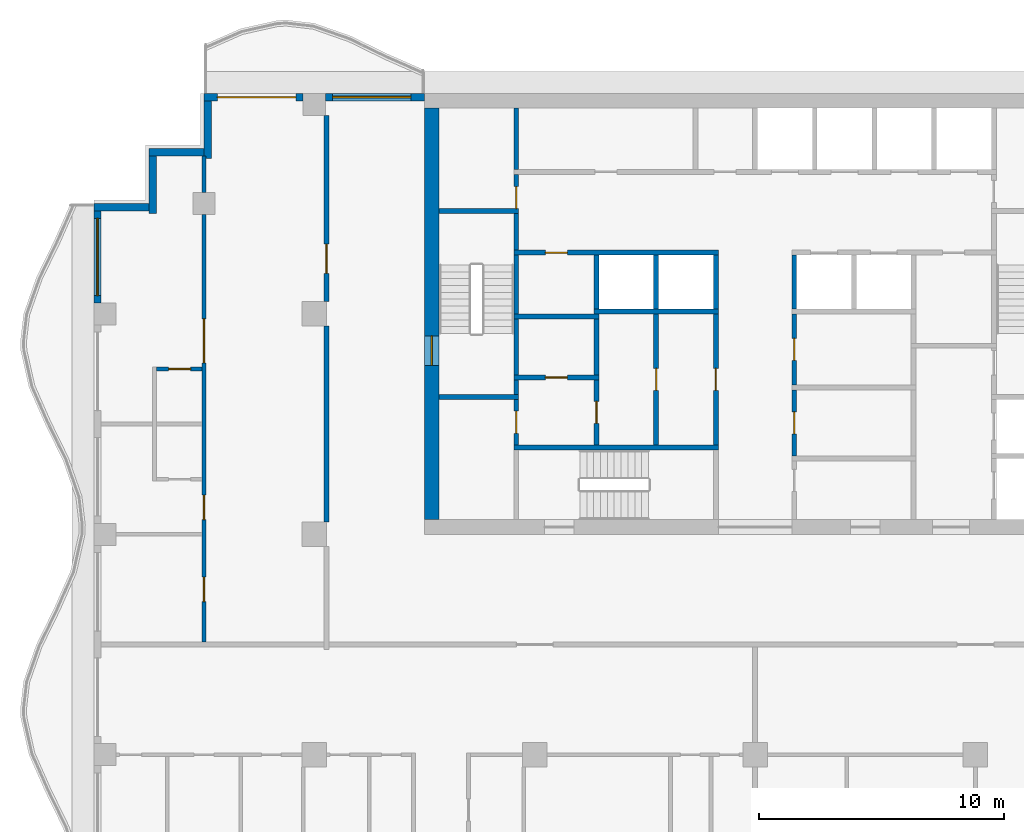
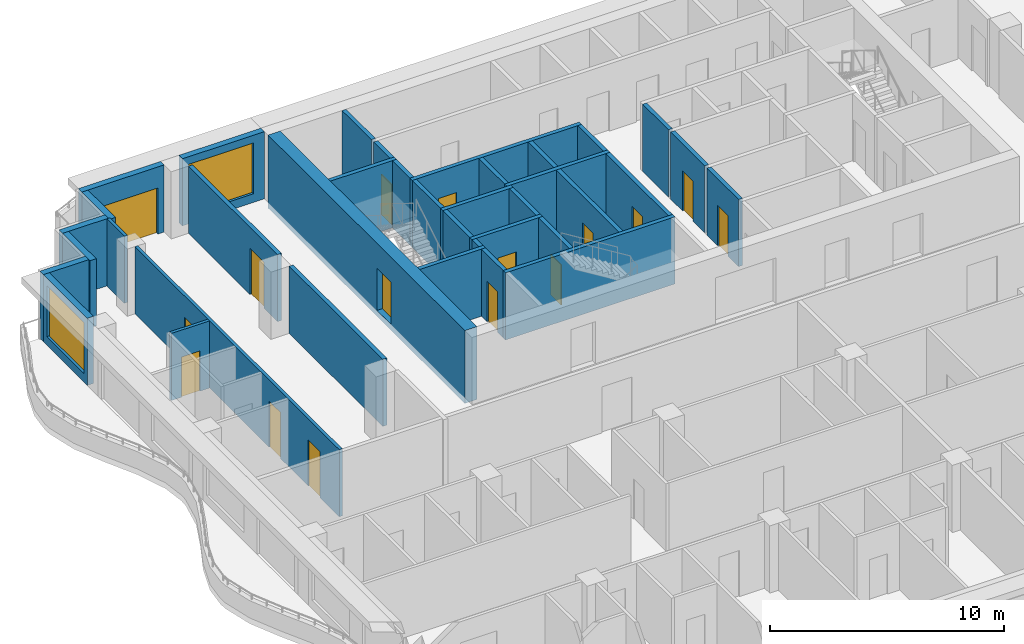
# One storey, part 5 of 11: 37 walls, 16 doors, 2 windows, 18 openings.
"""IFC4 building model written with IfcOpenShell, lengths in metres."""

from ifc_helpers import new_model, si_unit, direction, frame, frame_2d, origin, place, context, subcontext, project, spatial, rectangle, extrude, material, layer, layer_set, type_object, element, fill, save


model = new_model("IFC4")

# Units and contexts
model_context = context("Model", 3, precision=1e-05, world=origin(), true_north=direction((0.0, 1.0)))
body_context = subcontext(model_context, "Body", "Model", "MODEL_VIEW")
ifc_project = project(units=[si_unit("LENGTHUNIT", "METRE"), si_unit("AREAUNIT", "SQUARE_METRE"), si_unit("VOLUMEUNIT", "CUBIC_METRE"), si_unit("PLANEANGLEUNIT", "RADIAN"), si_unit("MASSUNIT", "GRAM", prefix="KILO")], contexts=[model_context])

# Site, building, storey
site_placement = place(None, origin())
site = spatial("IfcSite", under=ifc_project, at=site_placement, CompositionType="ELEMENT")
building_placement = place(site_placement, origin())
building = spatial("IfcBuilding", under=site, at=building_placement, Name="Orbiselva Terraces", CompositionType="ELEMENT")
storey_placement = place(building_placement, frame((0.0, 0.0, 238.8)))
storey = spatial("IfcBuildingStorey", under=building, at=storey_placement, Name="L60", CompositionType="ELEMENT", Elevation=238.8)

# Wall, opening, door
ifc_material_1 = material(Name="Concrete C80/95", Category="concrete")
ifc_layer_1 = layer(ifc_material_1, 0.6)
ifc_layer_set_1 = layer_set([ifc_layer_1], Name="Concrete C80/95")
wall_type_1 = type_object("IfcWallType", Name="CORE WALL 600", PredefinedType="SHEAR", material=ifc_layer_set_1)
wall_1_placement = place(storey_placement, frame((-13.2, 21.9, -0.3), z_axis=(0.0, 0.0, 1.0), x_axis=(0.0, -1.0, 0.0)))
wall_1 = element("IfcWall", 1, at=wall_1_placement, inside=storey, type_object=wall_type_1, Name="Core wall L60 west", PredefinedType="SHEAR", context=body_context, shape_type="SweptSolid", body=[
    extrude(rectangle(XDim=16.8, YDim=0.6, at=frame_2d((8.4, 0.0))), origin(), (0.0, 0.0, 1.0), 3.8),
])
opening_1_placement = place(wall_1_placement, frame((9.3, 0.0, 0.3)))
opening_1 = element("IfcOpeningElement", 2, at=opening_1_placement, cuts=wall_1, Name="Opening DS1200", PredefinedType="OPENING", context=body_context, shape_type="SweptSolid", body=[
    extrude(rectangle(XDim=1.2, YDim=2.2, at=frame_2d((0.6, 1.1))), frame((0.0, 0.31, 0.0), z_axis=(0.0, -1.0, 0.0), x_axis=(1.0, 0.0, 0.0)), (0.0, 0.0, 1.0), 0.62),
])
ifc_material_2 = material(Name="Steel fire door", Category="steel")
door_type_1 = type_object("IfcDoorType", Name="STAIR DOOR 1200", OperationType="NOTDEFINED", PredefinedType="DOOR", material=ifc_material_2)
door_1_placement = place(opening_1_placement, frame((1.2, 0.0, 0.0), z_axis=(0.0, 0.0, 1.0), x_axis=(-1.0, 0.0, 0.0)))
door_1 = element("IfcDoor", 3, at=door_1_placement, inside=storey, type_object=door_type_1, Name="L60 EXIT STAIR S1 door", OperationType="SINGLE_SWING_RIGHT", OverallHeight=2.2, OverallWidth=1.2, PredefinedType="DOOR", context=body_context, shape_type="SweptSolid", body=[
    extrude(rectangle(XDim=1.2, YDim=2.2, at=frame_2d((0.6, 1.1))), frame((0.0, 0.025, 0.0), z_axis=(0.0, -1.0, 0.0), x_axis=(1.0, 0.0, 0.0)), (0.0, 0.0, 1.0), 0.05),
])
fill(opening_1, door_1)

ifc_material_3 = material(Name="Masonry blockwork", Category="masonry")
ifc_layer_2 = layer(ifc_material_3, 0.2)
ifc_layer_set_2 = layer_set([ifc_layer_2], Name="Masonry blockwork")
wall_type_2 = type_object("IfcWallType", Name="CORE-WALL-PARTITION-200", PredefinedType="PARTITIONING", material=ifc_layer_set_2)
wall_2_placement = place(storey_placement, frame((-9.75, 8.15, 0.0), z_axis=(0.0, 0.0, 1.0), x_axis=(0.0, 1.0, 0.0)))
wall_2 = element("IfcWall", 4, at=wall_2_placement, inside=storey, type_object=wall_type_2, Name="L60 core wall 05", PredefinedType="PARTITIONING", context=body_context, shape_type="SweptSolid", body=[
    extrude(rectangle(XDim=1.85, YDim=0.2, at=frame_2d((0.925, 0.0))), origin(), (0.0, 0.0, 1.0), 3.5),
])
opening_2_placement = place(wall_2_placement, frame((0.475, 0.0, 0.0)))
opening_2 = element("IfcOpeningElement", 5, at=opening_2_placement, cuts=wall_2, Name="Opening DR900", PredefinedType="OPENING", context=body_context, shape_type="SweptSolid", body=[
    extrude(rectangle(XDim=0.9, YDim=2.1, at=frame_2d((0.45, 1.05))), frame((0.0, 0.11, 0.0), z_axis=(0.0, -1.0, 0.0), x_axis=(1.0, 0.0, 0.0)), (0.0, 0.0, 1.0), 0.22),
])
door_type_2 = type_object("IfcDoorType", Name="ROOM DOOR 900", OperationType="NOTDEFINED", PredefinedType="DOOR", material=ifc_material_2)
door_2_placement = place(opening_2_placement, origin())
door_2 = element("IfcDoor", 6, at=door_2_placement, inside=storey, type_object=door_type_2, Name="L60 STAFF WC door", OperationType="SINGLE_SWING_RIGHT", OverallHeight=2.1, OverallWidth=0.9, PredefinedType="DOOR", context=body_context, shape_type="SweptSolid", body=[
    extrude(rectangle(XDim=0.9, YDim=2.1, at=frame_2d((0.45, 1.05))), frame((0.0, 0.025, 0.0), z_axis=(0.0, -1.0, 0.0), x_axis=(1.0, 0.0, 0.0)), (0.0, 0.0, 1.0), 0.05),
])
fill(opening_2, door_2)

wall_3_placement = place(storey_placement, frame((-9.75, 17.8, 0.0), z_axis=(0.0, 0.0, 1.0), x_axis=(0.0, 1.0, 0.0)))
wall_3 = element("IfcWall", 7, at=wall_3_placement, inside=storey, type_object=wall_type_2, Name="L60 core wall 13", PredefinedType="PARTITIONING", context=body_context, shape_type="SweptSolid", body=[
    extrude(rectangle(XDim=1.4, YDim=0.2, at=frame_2d((0.7, 0.0))), origin(), (0.0, 0.0, 1.0), 3.5),
])
opening_3_placement = place(wall_3_placement, origin())
opening_3 = element("IfcOpeningElement", 8, at=opening_3_placement, cuts=wall_3, Name="Opening DR900", PredefinedType="OPENING", context=body_context, shape_type="SweptSolid", body=[
    extrude(rectangle(XDim=0.9, YDim=2.1, at=frame_2d((0.45, 1.05))), frame((0.0, 0.11, 0.0), z_axis=(0.0, -1.0, 0.0), x_axis=(1.0, 0.0, 0.0)), (0.0, 0.0, 1.0), 0.22),
])
door_3_placement = place(opening_3_placement, origin())
door_3 = element("IfcDoor", 9, at=door_3_placement, inside=storey, type_object=door_type_2, Name="L60 COMMS RISER ROOM door", OperationType="SINGLE_SWING_LEFT", OverallHeight=2.1, OverallWidth=0.9, PredefinedType="DOOR", context=body_context, shape_type="SweptSolid", body=[
    extrude(rectangle(XDim=0.9, YDim=2.1, at=frame_2d((0.45, 1.05))), frame((0.0, 0.025, 0.0), z_axis=(0.0, -1.0, 0.0), x_axis=(1.0, 0.0, 0.0)), (0.0, 0.0, 1.0), 0.05),
])
fill(opening_3, door_3)

# Wall
wall_4_placement = place(storey_placement, frame((-9.75, 19.4, 0.0), z_axis=(0.0, 0.0, 1.0), x_axis=(0.0, 1.0, 0.0)))
element("IfcWall", 10, at=wall_4_placement, inside=storey, type_object=wall_type_2, Name="L60 core wall 15", PredefinedType="PARTITIONING", context=body_context, shape_type="SweptSolid", body=[
    extrude(rectangle(XDim=2.5, YDim=0.2, at=frame_2d((1.25, 0.0))), origin(), (0.0, 0.0, 1.0), 3.5),
])

# Wall, opening, door
wall_5_placement = place(storey_placement, frame((-6.475, 8.15, 0.0), z_axis=(0.0, 0.0, 1.0), x_axis=(0.0, 1.0, 0.0)))
wall_5 = element("IfcWall", 11, at=wall_5_placement, inside=storey, type_object=wall_type_2, Name="L60 core wall 16", PredefinedType="PARTITIONING", context=body_context, shape_type="SweptSolid", body=[
    extrude(rectangle(XDim=2.65, YDim=0.2, at=frame_2d((1.325, 0.0))), origin(), (0.0, 0.0, 1.0), 3.5),
])
opening_4_placement = place(wall_5_placement, frame((0.875, 0.0, 0.0)))
opening_4 = element("IfcOpeningElement", 12, at=opening_4_placement, cuts=wall_5, Name="Opening DR900", PredefinedType="OPENING", context=body_context, shape_type="SweptSolid", body=[
    extrude(rectangle(XDim=0.9, YDim=2.1, at=frame_2d((0.45, 1.05))), frame((0.0, 0.11, 0.0), z_axis=(0.0, -1.0, 0.0), x_axis=(1.0, 0.0, 0.0)), (0.0, 0.0, 1.0), 0.22),
])
door_4_placement = place(opening_4_placement, origin())
door_4 = element("IfcDoor", 13, at=door_4_placement, inside=storey, type_object=door_type_2, Name="L60 UNIFORM STORE door", OperationType="SINGLE_SWING_LEFT", OverallHeight=2.1, OverallWidth=0.9, PredefinedType="DOOR", context=body_context, shape_type="SweptSolid", body=[
    extrude(rectangle(XDim=0.9, YDim=2.1, at=frame_2d((0.45, 1.05))), frame((0.0, 0.025, 0.0), z_axis=(0.0, -1.0, 0.0), x_axis=(1.0, 0.0, 0.0)), (0.0, 0.0, 1.0), 0.05),
])
fill(opening_4, door_4)

# Wall
wall_6_placement = place(storey_placement, frame((-6.475, 11.0, 0.0), z_axis=(0.0, 0.0, 1.0), x_axis=(0.0, 1.0, 0.0)))
element("IfcWall", 14, at=wall_6_placement, inside=storey, type_object=wall_type_2, Name="L60 core wall 17", PredefinedType="PARTITIONING", context=body_context, shape_type="SweptSolid", body=[
    extrude(rectangle(XDim=2.3, YDim=0.2, at=frame_2d((1.15, 0.0))), origin(), (0.0, 0.0, 1.0), 3.5),
])

# Wall, opening, door
wall_7_placement = place(storey_placement, frame((-4.0375, 8.15, 0.0), z_axis=(0.0, 0.0, 1.0), x_axis=(0.0, 1.0, 0.0)))
wall_7 = element("IfcWall", 15, at=wall_7_placement, inside=storey, type_object=wall_type_2, Name="L60 core wall 20", PredefinedType="PARTITIONING", context=body_context, shape_type="SweptSolid", body=[
    extrude(rectangle(XDim=5.35, YDim=0.2, at=frame_2d((2.675, 0.0))), origin(), (0.0, 0.0, 1.0), 3.5),
])
opening_5_placement = place(wall_7_placement, frame((2.225, 0.0, 0.0)))
opening_5 = element("IfcOpeningElement", 16, at=opening_5_placement, cuts=wall_7, Name="Opening DR900", PredefinedType="OPENING", context=body_context, shape_type="SweptSolid", body=[
    extrude(rectangle(XDim=0.9, YDim=2.1, at=frame_2d((0.45, 1.05))), frame((0.0, 0.11, 0.0), z_axis=(0.0, -1.0, 0.0), x_axis=(1.0, 0.0, 0.0)), (0.0, 0.0, 1.0), 0.22),
])
door_5_placement = place(opening_5_placement, origin())
door_5 = element("IfcDoor", 17, at=door_5_placement, inside=storey, type_object=door_type_2, Name="L60 BUILDING STORE door", OperationType="SINGLE_SWING_RIGHT", OverallHeight=2.1, OverallWidth=0.9, PredefinedType="DOOR", context=body_context, shape_type="SweptSolid", body=[
    extrude(rectangle(XDim=0.9, YDim=2.1, at=frame_2d((0.45, 1.05))), frame((0.0, 0.025, 0.0), z_axis=(0.0, -1.0, 0.0), x_axis=(1.0, 0.0, 0.0)), (0.0, 0.0, 1.0), 0.05),
])
fill(opening_5, door_5)

wall_8_placement = place(storey_placement, frame((1.6, 10.4, 0.0), z_axis=(0.0, 0.0, 1.0), x_axis=(0.0, -1.0, 0.0)))
wall_8 = element("IfcWall", 18, at=wall_8_placement, inside=storey, type_object=wall_type_2, Name="L60 core wall 29", PredefinedType="PARTITIONING", context=body_context, shape_type="SweptSolid", body=[
    extrude(rectangle(XDim=2.7, YDim=0.2, at=frame_2d((1.35, 0.0))), origin(), (0.0, 0.0, 1.0), 3.5),
])
opening_6_placement = place(wall_8_placement, frame((0.9, 0.0, 0.0)))
opening_6 = element("IfcOpeningElement", 19, at=opening_6_placement, cuts=wall_8, Name="Opening DR900", PredefinedType="OPENING", context=body_context, shape_type="SweptSolid", body=[
    extrude(rectangle(XDim=0.9, YDim=2.1, at=frame_2d((0.45, 1.05))), frame((0.0, 0.11, 0.0), z_axis=(0.0, -1.0, 0.0), x_axis=(1.0, 0.0, 0.0)), (0.0, 0.0, 1.0), 0.22),
])
door_6_placement = place(opening_6_placement, origin())
door_6 = element("IfcDoor", 20, at=door_6_placement, inside=storey, type_object=door_type_2, Name="L60 SERVICE PANTRY door", OperationType="SINGLE_SWING_LEFT", OverallHeight=2.1, OverallWidth=0.9, PredefinedType="DOOR", context=body_context, shape_type="SweptSolid", body=[
    extrude(rectangle(XDim=0.9, YDim=2.1, at=frame_2d((0.45, 1.05))), frame((0.0, 0.025, 0.0), z_axis=(0.0, -1.0, 0.0), x_axis=(1.0, 0.0, 0.0)), (0.0, 0.0, 1.0), 0.05),
])
fill(opening_6, door_6)

wall_9_placement = place(storey_placement, frame((1.6, 13.5, 0.0), z_axis=(0.0, 0.0, 1.0), x_axis=(0.0, -1.0, 0.0)))
wall_9 = element("IfcWall", 21, at=wall_9_placement, inside=storey, type_object=wall_type_2, Name="L60 core wall 31", PredefinedType="PARTITIONING", context=body_context, shape_type="SweptSolid", body=[
    extrude(rectangle(XDim=2.9, YDim=0.2, at=frame_2d((1.45, 0.0))), origin(), (0.0, 0.0, 1.0), 3.5),
])
opening_7_placement = place(wall_9_placement, frame((1.0, 0.0, 0.0)))
opening_7 = element("IfcOpeningElement", 22, at=opening_7_placement, cuts=wall_9, Name="Opening DR900", PredefinedType="OPENING", context=body_context, shape_type="SweptSolid", body=[
    extrude(rectangle(XDim=0.9, YDim=2.1, at=frame_2d((0.45, 1.05))), frame((0.0, 0.11, 0.0), z_axis=(0.0, -1.0, 0.0), x_axis=(1.0, 0.0, 0.0)), (0.0, 0.0, 1.0), 0.22),
])
door_7_placement = place(opening_7_placement, origin())
door_7 = element("IfcDoor", 23, at=door_7_placement, inside=storey, type_object=door_type_2, Name="L60 STAFF WC door", OperationType="SINGLE_SWING_LEFT", OverallHeight=2.1, OverallWidth=0.9, PredefinedType="DOOR", context=body_context, shape_type="SweptSolid", body=[
    extrude(rectangle(XDim=0.9, YDim=2.1, at=frame_2d((0.45, 1.05))), frame((0.0, 0.025, 0.0), z_axis=(0.0, -1.0, 0.0), x_axis=(1.0, 0.0, 0.0)), (0.0, 0.0, 1.0), 0.05),
])
fill(opening_7, door_7)

# Walls
ifc_material_4 = material(Name="Concrete C40/50", Category="concrete")
ifc_layer_3 = layer(ifc_material_4, 0.2)
ifc_layer_set_3 = layer_set([ifc_layer_3], Name="Concrete C40/50")
wall_type_3 = type_object("IfcWallType", Name="CORE-WALL-SHAFT-200", PredefinedType="PARTITIONING", material=ifc_layer_set_3)
for number, where, z_axis, x_axis, name in (
    (24, (-6.475, 13.7, 0.0), (0.0, 0.0, 1.0), (0.0, 1.0, 0.0), "L60 core wall 19"),
    (25, (-4.0375, 13.7, 0.0), (0.0, 0.0, 1.0), (0.0, 1.0, 0.0), "L60 core wall 21"),
    (26, (-1.6, 13.7, 0.0), (0.0, 0.0, 1.0), (0.0, 1.0, 0.0), "L60 core wall 25"),
    (27, (1.6, 13.7, 0.0), (0.0, 0.0, 1.0), (0.0, 1.0, 0.0), "L60 core wall 33"),
):
    element("IfcWall", number, at=place(storey_placement, frame(where, z_axis=z_axis, x_axis=x_axis)), inside=storey, type_object=wall_type_3, Name=name, PredefinedType="PARTITIONING", context=body_context, shape_type="SweptSolid", body=[
        extrude(rectangle(XDim=2.2, YDim=0.2, at=frame_2d((1.1, 0.0))), origin(), (0.0, 0.0, 1.0), 3.5),
    ])
ifc_material_5 = material(Name="Concrete C60/75", Category="concrete")
ifc_layer_4 = layer(ifc_material_5, 0.2)
ifc_layer_set_4 = layer_set([ifc_layer_4], Name="Concrete C60/75")
wall_type_4 = type_object("IfcWallType", Name="CORE-WALL-SHEAR-200", PredefinedType="SHEAR", material=ifc_layer_set_4)
for number, where, z_axis, x_axis, name in (
    (28, (-12.9, 10.1, 0.0), (0.0, 0.0, 1.0), (1.0, 0.0, 0.0), "L60 core wall 01"),
    (29, (-12.9, 17.7, 0.0), (0.0, 0.0, 1.0), (1.0, 0.0, 0.0), "L60 core wall 02"),
):
    element("IfcWall", number, at=place(storey_placement, frame(where, z_axis=z_axis, x_axis=x_axis)), inside=storey, type_object=wall_type_4, Name=name, PredefinedType="SHEAR", context=body_context, shape_type="SweptSolid", body=[
        extrude(rectangle(XDim=3.25, YDim=0.2, at=frame_2d((1.625, 0.0))), origin(), (0.0, 0.0, 1.0), 3.5),
    ])
wall_10_placement = place(storey_placement, frame((-9.85, 8.05, 0.0), z_axis=(0.0, 0.0, 1.0), x_axis=(1.0, 0.0, 0.0)))
element("IfcWall", 30, at=wall_10_placement, inside=storey, type_object=wall_type_4, Name="L60 core wall 04", PredefinedType="SHEAR", context=body_context, shape_type="SweptSolid", body=[
    extrude(rectangle(XDim=8.35, YDim=0.2, at=frame_2d((4.175, 0.0))), origin(), (0.0, 0.0, 1.0), 3.5),
])
wall_11_placement = place(storey_placement, frame((-9.75, 10.2, 0.0), z_axis=(0.0, 0.0, 1.0), x_axis=(0.0, 1.0, 0.0)))
element("IfcWall", 31, at=wall_11_placement, inside=storey, type_object=wall_type_4, Name="L60 core wall 06", PredefinedType="SHEAR", context=body_context, shape_type="SweptSolid", body=[
    extrude(rectangle(XDim=0.6, YDim=0.2, at=frame_2d((0.3, 0.0))), origin(), (0.0, 0.0, 1.0), 3.5),
])

# Wall, opening, door
wall_12_placement = place(storey_placement, frame((-9.85, 10.9, 0.0), z_axis=(0.0, 0.0, 1.0), x_axis=(1.0, 0.0, 0.0)))
wall_12 = element("IfcWall", 32, at=wall_12_placement, inside=storey, type_object=wall_type_4, Name="L60 core wall 07", PredefinedType="SHEAR", context=body_context, shape_type="SweptSolid", body=[
    extrude(rectangle(XDim=3.475, YDim=0.2, at=frame_2d((1.7375, 0.0))), origin(), (0.0, 0.0, 1.0), 3.5),
])
opening_8_placement = place(wall_12_placement, frame((1.2875, 0.0, 0.0)))
opening_8 = element("IfcOpeningElement", 33, at=opening_8_placement, cuts=wall_12, Name="Opening DR900", PredefinedType="OPENING", context=body_context, shape_type="SweptSolid", body=[
    extrude(rectangle(XDim=0.9, YDim=2.1, at=frame_2d((0.45, 1.05))), frame((0.0, 0.11, 0.0), z_axis=(0.0, -1.0, 0.0), x_axis=(1.0, 0.0, 0.0)), (0.0, 0.0, 1.0), 0.22),
])
door_8_placement = place(opening_8_placement, origin())
door_8 = element("IfcDoor", 34, at=door_8_placement, inside=storey, type_object=door_type_2, Name="L60 LAUNDRY ROOM door", OperationType="SINGLE_SWING_RIGHT", OverallHeight=2.1, OverallWidth=0.9, PredefinedType="DOOR", context=body_context, shape_type="SweptSolid", body=[
    extrude(rectangle(XDim=0.9, YDim=2.1, at=frame_2d((0.45, 1.05))), frame((0.0, 0.025, 0.0), z_axis=(0.0, -1.0, 0.0), x_axis=(1.0, 0.0, 0.0)), (0.0, 0.0, 1.0), 0.05),
])
fill(opening_8, door_8)

# Walls
wall_13_placement = place(storey_placement, frame((-9.75, 11.0, 0.0), z_axis=(0.0, 0.0, 1.0), x_axis=(0.0, 1.0, 0.0)))
element("IfcWall", 35, at=wall_13_placement, inside=storey, type_object=wall_type_4, Name="L60 core wall 08", PredefinedType="SHEAR", context=body_context, shape_type="SweptSolid", body=[
    extrude(rectangle(XDim=2.3, YDim=0.2, at=frame_2d((1.15, 0.0))), origin(), (0.0, 0.0, 1.0), 3.5),
])
wall_14_placement = place(storey_placement, frame((-9.85, 13.4, 0.0), z_axis=(0.0, 0.0, 1.0), x_axis=(1.0, 0.0, 0.0)))
element("IfcWall", 36, at=wall_14_placement, inside=storey, type_object=wall_type_4, Name="L60 core wall 09", PredefinedType="SHEAR", context=body_context, shape_type="SweptSolid", body=[
    extrude(rectangle(XDim=3.475, YDim=0.2, at=frame_2d((1.7375, 0.0))), origin(), (0.0, 0.0, 1.0), 3.5),
])
wall_15_placement = place(storey_placement, frame((-9.75, 13.5, 0.0), z_axis=(0.0, 0.0, 1.0), x_axis=(0.0, 1.0, 0.0)))
element("IfcWall", 37, at=wall_15_placement, inside=storey, type_object=wall_type_4, Name="L60 core wall 10", PredefinedType="SHEAR", context=body_context, shape_type="SweptSolid", body=[
    extrude(rectangle(XDim=2.4, YDim=0.2, at=frame_2d((1.2, 0.0))), origin(), (0.0, 0.0, 1.0), 3.5),
])

# Wall, opening, door
wall_16_placement = place(storey_placement, frame((-1.5, 16.0, 0.0), z_axis=(0.0, 0.0, 1.0), x_axis=(-1.0, 0.0, 0.0)))
wall_16 = element("IfcWall", 38, at=wall_16_placement, inside=storey, type_object=wall_type_4, Name="L60 core wall 11", PredefinedType="SHEAR", context=body_context, shape_type="SweptSolid", body=[
    extrude(rectangle(XDim=8.35, YDim=0.2, at=frame_2d((4.175, 0.0))), origin(), (0.0, 0.0, 1.0), 3.5),
])
opening_9_placement = place(wall_16_placement, frame((6.1625, 0.0, 0.0)))
opening_9 = element("IfcOpeningElement", 39, at=opening_9_placement, cuts=wall_16, Name="Opening DR900", PredefinedType="OPENING", context=body_context, shape_type="SweptSolid", body=[
    extrude(rectangle(XDim=0.9, YDim=2.1, at=frame_2d((0.45, 1.05))), frame((0.0, 0.11, 0.0), z_axis=(0.0, -1.0, 0.0), x_axis=(1.0, 0.0, 0.0)), (0.0, 0.0, 1.0), 0.22),
])
door_9_placement = place(opening_9_placement, origin())
door_9 = element("IfcDoor", 40, at=door_9_placement, inside=storey, type_object=door_type_2, Name="L60 STAFF PANTRY door", OperationType="SINGLE_SWING_RIGHT", OverallHeight=2.1, OverallWidth=0.9, PredefinedType="DOOR", context=body_context, shape_type="SweptSolid", body=[
    extrude(rectangle(XDim=0.9, YDim=2.1, at=frame_2d((0.45, 1.05))), frame((0.0, 0.025, 0.0), z_axis=(0.0, -1.0, 0.0), x_axis=(1.0, 0.0, 0.0)), (0.0, 0.0, 1.0), 0.05),
])
fill(opening_9, door_9)

# Walls
wall_17_placement = place(storey_placement, frame((-9.75, 16.1, 0.0), z_axis=(0.0, 0.0, 1.0), x_axis=(0.0, 1.0, 0.0)))
element("IfcWall", 41, at=wall_17_placement, inside=storey, type_object=wall_type_4, Name="L60 core wall 12", PredefinedType="SHEAR", context=body_context, shape_type="SweptSolid", body=[
    extrude(rectangle(XDim=1.5, YDim=0.2, at=frame_2d((0.75, 0.0))), origin(), (0.0, 0.0, 1.0), 3.5),
])
wall_18_placement = place(storey_placement, frame((-6.575, 13.6, 0.0), z_axis=(0.0, 0.0, 1.0), x_axis=(1.0, 0.0, 0.0)))
element("IfcWall", 42, at=wall_18_placement, inside=storey, type_object=wall_type_4, Name="L60 core wall 18", PredefinedType="SHEAR", context=body_context, shape_type="SweptSolid", body=[
    extrude(rectangle(XDim=5.075, YDim=0.2, at=frame_2d((2.5375, 0.0))), origin(), (0.0, 0.0, 1.0), 3.5),
])

# Wall, opening, door
wall_19_placement = place(storey_placement, frame((-1.6, 8.15, 0.0), z_axis=(0.0, 0.0, 1.0), x_axis=(0.0, 1.0, 0.0)))
wall_19 = element("IfcWall", 43, at=wall_19_placement, inside=storey, type_object=wall_type_4, Name="L60 core wall 24", PredefinedType="SHEAR", context=body_context, shape_type="SweptSolid", body=[
    extrude(rectangle(XDim=5.35, YDim=0.2, at=frame_2d((2.675, 0.0))), origin(), (0.0, 0.0, 1.0), 3.5),
])
opening_10_placement = place(wall_19_placement, frame((2.225, 0.0, 0.0)))
opening_10 = element("IfcOpeningElement", 44, at=opening_10_placement, cuts=wall_19, Name="Opening DR900", PredefinedType="OPENING", context=body_context, shape_type="SweptSolid", body=[
    extrude(rectangle(XDim=0.9, YDim=2.1, at=frame_2d((0.45, 1.05))), frame((0.0, 0.11, 0.0), z_axis=(0.0, -1.0, 0.0), x_axis=(1.0, 0.0, 0.0)), (0.0, 0.0, 1.0), 0.22),
])
door_10_placement = place(opening_10_placement, origin())
door_10 = element("IfcDoor", 45, at=door_10_placement, inside=storey, type_object=door_type_2, Name="L60 GUEST PANTRY door", OperationType="SINGLE_SWING_RIGHT", OverallHeight=2.1, OverallWidth=0.9, PredefinedType="DOOR", context=body_context, shape_type="SweptSolid", body=[
    extrude(rectangle(XDim=0.9, YDim=2.1, at=frame_2d((0.45, 1.05))), frame((0.0, 0.025, 0.0), z_axis=(0.0, -1.0, 0.0), x_axis=(1.0, 0.0, 0.0)), (0.0, 0.0, 1.0), 0.05),
])
fill(opening_10, door_10)

# Wall, opening, window
ifc_material_6 = material(Name="Terracotta cladding on masonry backing", Category="masonry")
ifc_layer_5 = layer(ifc_material_6, 0.3)
ifc_layer_set_5 = layer_set([ifc_layer_5], Name="Terracotta cladding on masonry backing")
wall_type_5 = type_object("IfcWallType", Name="ENV-WALL-TERRACOTTA-300", PredefinedType="SOLIDWALL", material=ifc_layer_set_5)
wall_20_placement = place(storey_placement, frame((-17.55, 22.35, 0.0), z_axis=(0.0, 0.0, 1.0), x_axis=(1.0, 0.0, 0.0)))
wall_20 = element("IfcWall", 46, at=wall_20_placement, inside=storey, type_object=wall_type_5, Name="Facade wall L60 NW", PredefinedType="SOLIDWALL", context=body_context, shape_type="SweptSolid", body=[
    extrude(rectangle(XDim=4.05, YDim=0.3, at=frame_2d((2.025, 0.0))), origin(), (0.0, 0.0, 1.0), 3.5),
])
opening_11_placement = place(wall_20_placement, frame((0.3, 0.0, 0.45)))
opening_11 = element("IfcOpeningElement", 47, at=opening_11_placement, cuts=wall_20, Name="Opening WN17", PredefinedType="OPENING", context=body_context, shape_type="SweptSolid", body=[
    extrude(rectangle(XDim=3.2, YDim=2.65, at=frame_2d((1.6, 1.325))), frame((0.0, 0.16, 0.0), z_axis=(0.0, -1.0, 0.0), x_axis=(1.0, 0.0, 0.0)), (0.0, 0.0, 1.0), 0.32),
])
ifc_material_7 = material(Name="Clear low-e glazing in aluminium frame", Category="aluminium")
window_type_1 = type_object("IfcWindowType", Name="WINDOW 3200 X 2650 S450", PartitioningType="TRIPLE_PANEL_VERTICAL", PredefinedType="WINDOW", material=ifc_material_7)
window_1_placement = place(opening_11_placement, origin())
window_1 = element("IfcWindow", 48, at=window_1_placement, inside=storey, type_object=window_type_1, Name="Window L60 NW", OverallHeight=2.65, OverallWidth=3.2, PartitioningType="SINGLE_PANEL", PredefinedType="WINDOW", context=body_context, shape_type="SweptSolid", body=[
    extrude(rectangle(XDim=3.2, YDim=2.65, at=frame_2d((1.6, 1.325))), frame((0.0, 0.03, 0.0), z_axis=(0.0, -1.0, 0.0), x_axis=(1.0, 0.0, 0.0)), (0.0, 0.0, 1.0), 0.06),
])
fill(opening_11, window_1)

# Wall, opening, door
wall_21_placement = place(storey_placement, frame((-22.5, 22.35, 0.0), z_axis=(0.0, 0.0, 1.0), x_axis=(1.0, 0.0, 0.0)))
wall_21 = element("IfcWall", 49, at=wall_21_placement, inside=storey, type_object=wall_type_5, Name="Facade wall L60 NW", PredefinedType="SOLIDWALL", context=body_context, shape_type="SweptSolid", body=[
    extrude(rectangle(XDim=4.05, YDim=0.3, at=frame_2d((2.025, 0.0))), origin(), (0.0, 0.0, 1.0), 3.5),
])
opening_12_placement = place(wall_21_placement, frame((0.55, 0.0, 0.0)))
opening_12 = element("IfcOpeningElement", 50, at=opening_12_placement, cuts=wall_21, Name="Opening Z5-A-E09", PredefinedType="OPENING", context=body_context, shape_type="SweptSolid", body=[
    extrude(rectangle(XDim=3.2, YDim=2.4, at=frame_2d((1.6, 1.2))), frame((0.0, 0.16, 0.0), z_axis=(0.0, -1.0, 0.0), x_axis=(1.0, 0.0, 0.0)), (0.0, 0.0, 1.0), 0.32),
])
door_type_3 = type_object("IfcDoorType", Name="BALCONY DOOR 3200 X 2400", OperationType="DOUBLE_DOOR_SLIDING", PredefinedType="DOOR", material=ifc_material_7)
door_11_placement = place(opening_12_placement, origin())
door_11 = element("IfcDoor", 51, at=door_11_placement, inside=storey, type_object=door_type_3, Name="Z5-A-E09", OperationType="SINGLE_SWING_LEFT", OverallHeight=2.4, OverallWidth=3.2, PredefinedType="DOOR", context=body_context, shape_type="SweptSolid", body=[
    extrude(rectangle(XDim=3.2, YDim=2.4, at=frame_2d((1.6, 1.2))), frame((0.0, 0.025, 0.0), z_axis=(0.0, -1.0, 0.0), x_axis=(1.0, 0.0, 0.0)), (0.0, 0.0, 1.0), 0.05),
])
fill(opening_12, door_11)

# Walls
wall_22_placement = place(storey_placement, frame((-22.35, 19.85, 0.0), z_axis=(0.0, 0.0, 1.0), x_axis=(0.0, 1.0, 0.0)))
element("IfcWall", 52, at=wall_22_placement, inside=storey, type_object=wall_type_5, Name="Facade wall L60 STEP", PredefinedType="SOLIDWALL", context=body_context, shape_type="SweptSolid", body=[
    extrude(rectangle(XDim=2.35, YDim=0.3, at=frame_2d((1.175, 0.0))), origin(), (0.0, 0.0, 1.0), 3.5),
])
wall_23_placement = place(storey_placement, frame((-24.75, 20.1, 0.0), z_axis=(0.0, 0.0, 1.0), x_axis=(1.0, 0.0, 0.0)))
element("IfcWall", 53, at=wall_23_placement, inside=storey, type_object=wall_type_5, Name="Facade wall L60 STEP", PredefinedType="SOLIDWALL", context=body_context, shape_type="SweptSolid", body=[
    extrude(rectangle(XDim=2.25, YDim=0.3, at=frame_2d((1.125, 0.0))), origin(), (0.0, 0.0, 1.0), 3.5),
])
wall_24_placement = place(storey_placement, frame((-24.6, 17.6, 0.0), z_axis=(0.0, 0.0, 1.0), x_axis=(0.0, 1.0, 0.0)))
element("IfcWall", 54, at=wall_24_placement, inside=storey, type_object=wall_type_5, Name="Facade wall L60 STEP", PredefinedType="SOLIDWALL", context=body_context, shape_type="SweptSolid", body=[
    extrude(rectangle(XDim=2.35, YDim=0.3, at=frame_2d((1.175, 0.0))), origin(), (0.0, 0.0, 1.0), 3.5),
])
wall_25_placement = place(storey_placement, frame((-27.0, 17.85, 0.0), z_axis=(0.0, 0.0, 1.0), x_axis=(1.0, 0.0, 0.0)))
element("IfcWall", 55, at=wall_25_placement, inside=storey, type_object=wall_type_5, Name="Facade wall L60 STEP", PredefinedType="SOLIDWALL", context=body_context, shape_type="SweptSolid", body=[
    extrude(rectangle(XDim=2.25, YDim=0.3, at=frame_2d((1.125, 0.0))), origin(), (0.0, 0.0, 1.0), 3.5),
])

# Wall, opening, window
wall_26_placement = place(storey_placement, frame((-26.85, 13.95, 0.0), z_axis=(0.0, 0.0, 1.0), x_axis=(0.0, 1.0, 0.0)))
wall_26 = element("IfcWall", 56, at=wall_26_placement, inside=storey, type_object=wall_type_5, Name="Facade wall L60 W", PredefinedType="SOLIDWALL", context=body_context, shape_type="SweptSolid", body=[
    extrude(rectangle(XDim=3.75, YDim=0.3, at=frame_2d((1.875, 0.0))), origin(), (0.0, 0.0, 1.0), 3.5),
])
opening_13_placement = place(wall_26_placement, frame((0.3, 0.0, 0.45)))
opening_13 = element("IfcOpeningElement", 57, at=opening_13_placement, cuts=wall_26, Name="Opening WN16", PredefinedType="OPENING", context=body_context, shape_type="SweptSolid", body=[
    extrude(rectangle(XDim=3.15, YDim=2.65, at=frame_2d((1.575, 1.325))), frame((0.0, 0.16, 0.0), z_axis=(0.0, -1.0, 0.0), x_axis=(1.0, 0.0, 0.0)), (0.0, 0.0, 1.0), 0.32),
])
window_type_2 = type_object("IfcWindowType", Name="WINDOW 3150 X 2650 S450", PartitioningType="TRIPLE_PANEL_VERTICAL", PredefinedType="WINDOW", material=ifc_material_7)
window_2_placement = place(opening_13_placement, origin())
window_2 = element("IfcWindow", 58, at=window_2_placement, inside=storey, type_object=window_type_2, Name="Window L60 W", OverallHeight=2.65, OverallWidth=3.15, PartitioningType="SINGLE_PANEL", PredefinedType="WINDOW", context=body_context, shape_type="SweptSolid", body=[
    extrude(rectangle(XDim=3.15, YDim=2.65, at=frame_2d((1.575, 1.325))), frame((0.0, 0.03, 0.0), z_axis=(0.0, -1.0, 0.0), x_axis=(1.0, 0.0, 0.0)), (0.0, 0.0, 1.0), 0.06),
])
fill(opening_13, window_2)

# Wall
ifc_material_8 = material(Name="Plasterboard on steel stud partition", Category="steel")
ifc_layer_6 = layer(ifc_material_8, 0.2)
ifc_layer_set_6 = layer_set([ifc_layer_6], Name="Plasterboard on steel stud partition")
wall_type_6 = type_object("IfcWallType", Name="UNIT-ENTRANCE-WALL-200", PredefinedType="PARTITIONING", material=ifc_layer_set_6)
wall_27_placement = place(storey_placement, frame((-17.5, 5.0, 0.0), z_axis=(0.0, 0.0, 1.0), x_axis=(0.0, 1.0, 0.0)))
element("IfcWall", 59, at=wall_27_placement, inside=storey, type_object=wall_type_6, Name="PARTITION L60-051", PredefinedType="PARTITIONING", context=body_context, shape_type="SweptSolid", body=[
    extrude(rectangle(XDim=8.0, YDim=0.2, at=frame_2d((4.0, 0.0))), origin(), (0.0, 0.0, 1.0), 3.5),
])

# Wall, opening, door
wall_28_placement = place(storey_placement, frame((-17.5, 14.0, 0.0), z_axis=(0.0, 0.0, 1.0), x_axis=(0.0, 1.0, 0.0)))
wall_28 = element("IfcWall", 60, at=wall_28_placement, inside=storey, type_object=wall_type_6, Name="PARTITION L60-052", PredefinedType="PARTITIONING", context=body_context, shape_type="SweptSolid", body=[
    extrude(rectangle(XDim=7.6, YDim=0.2, at=frame_2d((3.8, 0.0))), origin(), (0.0, 0.0, 1.0), 3.5),
])
opening_14_placement = place(wall_28_placement, frame((1.15, 0.0, 0.0)))
opening_14 = element("IfcOpeningElement", 61, at=opening_14_placement, cuts=wall_28, Name="Opening Z5-A-02", PredefinedType="OPENING", context=body_context, shape_type="SweptSolid", body=[
    extrude(rectangle(XDim=1.2, YDim=2.4, at=frame_2d((0.6, 1.2))), frame((0.0, 0.11, 0.0), z_axis=(0.0, -1.0, 0.0), x_axis=(1.0, 0.0, 0.0)), (0.0, 0.0, 1.0), 0.22),
])
ifc_material_9 = material(Name="Painted timber door leaf", Category="wood")
door_type_4 = type_object("IfcDoorType", Name="ENTRANCE DOOR 1200", OperationType="NOTDEFINED", PredefinedType="DOOR", material=ifc_material_9)
door_12_placement = place(opening_14_placement, origin())
door_12 = element("IfcDoor", 62, at=door_12_placement, inside=storey, type_object=door_type_4, Name="Z5-A-02", OperationType="SINGLE_SWING_LEFT", OverallHeight=2.4, OverallWidth=1.2, PredefinedType="DOOR", context=body_context, shape_type="SweptSolid", body=[
    extrude(rectangle(XDim=1.2, YDim=2.4, at=frame_2d((0.6, 1.2))), frame((0.0, 0.025, 0.0), z_axis=(0.0, -1.0, 0.0), x_axis=(1.0, 0.0, 0.0)), (0.0, 0.0, 1.0), 0.05),
])
fill(opening_14, door_12)

ifc_layer_7 = layer(ifc_material_8, 0.15)
ifc_layer_set_7 = layer_set([ifc_layer_7], Name="Plasterboard on steel stud partition")
wall_type_7 = type_object("IfcWallType", Name="UNIT-PARTITION-150", PredefinedType="PARTITIONING", material=ifc_layer_set_7)
wall_29_placement = place(storey_placement, frame((-22.575, 11.25, 0.0), z_axis=(0.0, 0.0, 1.0), x_axis=(-1.0, 0.0, 0.0)))
wall_29 = element("IfcWall", 63, at=wall_29_placement, inside=storey, type_object=wall_type_7, Name="PARTITION L60-037", PredefinedType="PARTITIONING", context=body_context, shape_type="SweptSolid", body=[
    extrude(rectangle(XDim=1.875, YDim=0.15, at=frame_2d((0.9375, 0.0))), origin(), (0.0, 0.0, 1.0), 3.5),
])
opening_15_placement = place(wall_29_placement, frame((0.475, 0.0, 0.0)))
opening_15 = element("IfcOpeningElement", 64, at=opening_15_placement, cuts=wall_29, Name="Opening Z5-A-07", PredefinedType="OPENING", context=body_context, shape_type="SweptSolid", body=[
    extrude(rectangle(XDim=0.9, YDim=2.1, at=frame_2d((0.45, 1.05))), frame((0.0, 0.085, 0.0), z_axis=(0.0, -1.0, 0.0), x_axis=(1.0, 0.0, 0.0)), (0.0, 0.0, 1.0), 0.17),
])
door_type_5 = type_object("IfcDoorType", Name="BATH DOOR 900", OperationType="NOTDEFINED", PredefinedType="DOOR", material=ifc_material_9)
door_13_placement = place(opening_15_placement, origin())
door_13 = element("IfcDoor", 65, at=door_13_placement, inside=storey, type_object=door_type_5, Name="Z5-A-07", OperationType="SINGLE_SWING_LEFT", OverallHeight=2.1, OverallWidth=0.9, PredefinedType="DOOR", context=body_context, shape_type="SweptSolid", body=[
    extrude(rectangle(XDim=0.9, YDim=2.1, at=frame_2d((0.45, 1.05))), frame((0.0, 0.025, 0.0), z_axis=(0.0, -1.0, 0.0), x_axis=(1.0, 0.0, 0.0)), (0.0, 0.0, 1.0), 0.05),
])
fill(opening_15, door_13)

# Wall, openings, doors
wall_30_placement = place(storey_placement, frame((-22.5, 0.1, 0.0), z_axis=(0.0, 0.0, 1.0), x_axis=(0.0, 1.0, 0.0)))
wall_30 = element("IfcWall", 66, at=wall_30_placement, inside=storey, type_object=wall_type_7, Name="PARTITION L60-044", PredefinedType="PARTITIONING", context=body_context, shape_type="SweptSolid", body=[
    extrude(rectangle(XDim=17.45, YDim=0.15, at=frame_2d((8.725, 0.0))), origin(), (0.0, 0.0, 1.0), 3.5),
])
opening_16_placement = place(wall_30_placement, frame((1.65, 0.0, 0.0)))
opening_16 = element("IfcOpeningElement", 67, at=opening_16_placement, cuts=wall_30, Name="Opening Z5-A-03", PredefinedType="OPENING", context=body_context, shape_type="SweptSolid", body=[
    extrude(rectangle(XDim=1.0, YDim=2.4, at=frame_2d((0.5, 1.2))), frame((0.0, 0.085, 0.0), z_axis=(0.0, -1.0, 0.0), x_axis=(1.0, 0.0, 0.0)), (0.0, 0.0, 1.0), 0.17),
])
opening_17_placement = place(wall_30_placement, frame((5.0, 0.0, 0.0)))
opening_17 = element("IfcOpeningElement", 68, at=opening_17_placement, cuts=wall_30, Name="Opening Z5-A-04", PredefinedType="OPENING", context=body_context, shape_type="SweptSolid", body=[
    extrude(rectangle(XDim=1.0, YDim=2.4, at=frame_2d((0.5, 1.2))), frame((0.0, 0.085, 0.0), z_axis=(0.0, -1.0, 0.0), x_axis=(1.0, 0.0, 0.0)), (0.0, 0.0, 1.0), 0.17),
])
opening_18_placement = place(wall_30_placement, frame((11.4, 0.0, 0.0)))
opening_18 = element("IfcOpeningElement", 69, at=opening_18_placement, cuts=wall_30, Name="Opening Z5-A-06", PredefinedType="OPENING", context=body_context, shape_type="SweptSolid", body=[
    extrude(rectangle(XDim=1.8, YDim=2.4, at=frame_2d((0.9, 1.2))), frame((0.0, 0.085, 0.0), z_axis=(0.0, -1.0, 0.0), x_axis=(1.0, 0.0, 0.0)), (0.0, 0.0, 1.0), 0.17),
])
door_type_6 = type_object("IfcDoorType", Name="DOUBLE DOOR 1800", OperationType="NOTDEFINED", PredefinedType="DOOR", material=ifc_material_9)
door_14_placement = place(opening_18_placement, origin())
door_14 = element("IfcDoor", 70, at=door_14_placement, inside=storey, type_object=door_type_6, Name="Z5-A-06", OperationType="DOUBLE_DOOR_SINGLE_SWING", OverallHeight=2.4, OverallWidth=1.8, PredefinedType="DOOR", context=body_context, shape_type="SweptSolid", body=[
    extrude(rectangle(XDim=1.8, YDim=2.4, at=frame_2d((0.9, 1.2))), frame((0.0, 0.025, 0.0), z_axis=(0.0, -1.0, 0.0), x_axis=(1.0, 0.0, 0.0)), (0.0, 0.0, 1.0), 0.05),
])
fill(opening_18, door_14)
door_type_7 = type_object("IfcDoorType", Name="ROOM DOOR 1000", OperationType="NOTDEFINED", PredefinedType="DOOR", material=ifc_material_9)
door_15_placement = place(opening_16_placement, origin())
door_15 = element("IfcDoor", 71, at=door_15_placement, inside=storey, type_object=door_type_7, Name="Z5-A-03", OperationType="SINGLE_SWING_LEFT", OverallHeight=2.4, OverallWidth=1.0, PredefinedType="DOOR", context=body_context, shape_type="SweptSolid", body=[
    extrude(rectangle(XDim=1.0, YDim=2.4, at=frame_2d((0.5, 1.2))), frame((0.0, 0.025, 0.0), z_axis=(0.0, -1.0, 0.0), x_axis=(1.0, 0.0, 0.0)), (0.0, 0.0, 1.0), 0.05),
])
fill(opening_16, door_15)
door_16_placement = place(opening_17_placement, origin())
door_16 = element("IfcDoor", 72, at=door_16_placement, inside=storey, type_object=door_type_7, Name="Z5-A-04", OperationType="SINGLE_SWING_LEFT", OverallHeight=2.4, OverallWidth=1.0, PredefinedType="DOOR", context=body_context, shape_type="SweptSolid", body=[
    extrude(rectangle(XDim=1.0, YDim=2.4, at=frame_2d((0.5, 1.2))), frame((0.0, 0.025, 0.0), z_axis=(0.0, -1.0, 0.0), x_axis=(1.0, 0.0, 0.0)), (0.0, 0.0, 1.0), 0.05),
])
fill(opening_17, door_16)

# Wall
wall_31_placement = place(storey_placement, frame((-22.5, 18.45, 0.0), z_axis=(0.0, 0.0, 1.0), x_axis=(0.0, 1.0, 0.0)))
element("IfcWall", 73, at=wall_31_placement, inside=storey, type_object=wall_type_7, Name="PARTITION L60-045", PredefinedType="PARTITIONING", context=body_context, shape_type="SweptSolid", body=[
    extrude(rectangle(XDim=1.5, YDim=0.15, at=frame_2d((0.75, 0.0))), origin(), (0.0, 0.0, 1.0), 3.5),
])

save(model, "model.ifc")
